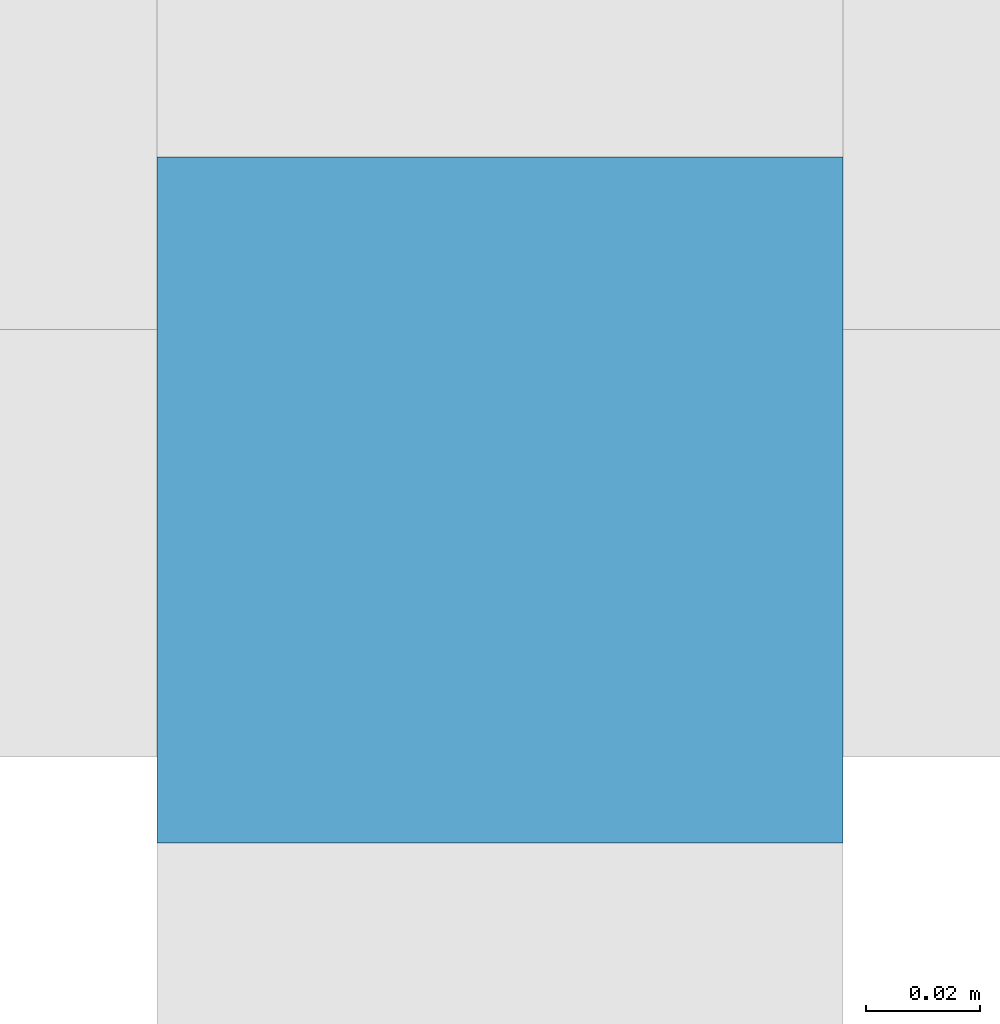
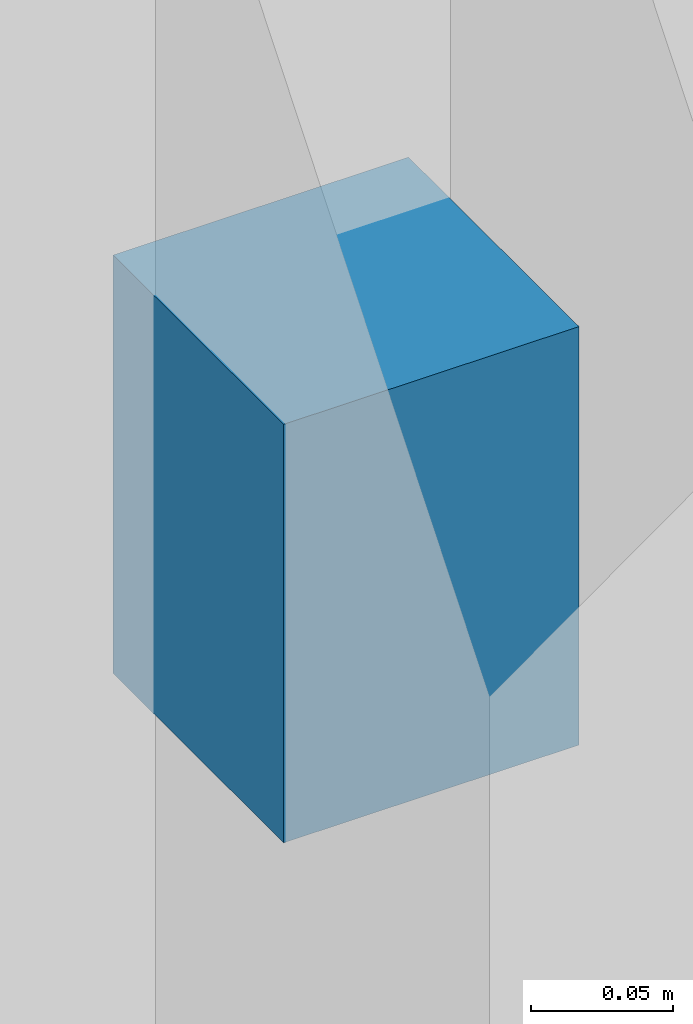
# One storey, part 42 of 54: 1 discrete accessory.
"""IFC4 building model written with IfcOpenShell, lengths in metres."""

from ifc_helpers import new_model, si_unit, direction, frame, origin, origin_2d, place, context, subcontext, project, spatial, rectangle, extrude, material, type_object, element, save


model = new_model("IFC4")

# Units and contexts
model_context = context("Model", 3, precision=1e-05, world=origin(), true_north=direction((0.0, 1.0)))
body_context = subcontext(model_context, "Body", "Model", "MODEL_VIEW")
ifc_project = project(units=[si_unit("LENGTHUNIT", "METRE"), si_unit("AREAUNIT", "SQUARE_METRE"), si_unit("VOLUMEUNIT", "CUBIC_METRE"), si_unit("PLANEANGLEUNIT", "RADIAN"), si_unit("MASSUNIT", "GRAM", prefix="KILO")], contexts=[model_context])

# Site, building, storey
site_placement = place(None, origin())
site = spatial("IfcSite", under=ifc_project, at=site_placement, CompositionType="ELEMENT")
building_placement = place(site_placement, origin())
building = spatial("IfcBuilding", under=site, at=building_placement, Name="Sundgate Opera House", CompositionType="ELEMENT")
storey_placement = place(building_placement, frame((0.0, 0.0, 16.800048828125)))
storey = spatial("IfcBuildingStorey", under=building, at=storey_placement, Name="L03", CompositionType="ELEMENT", Elevation=16.800048828125)

# Discrete accessory
ifc_material = material(Name="Stainless steel EN 1.4404 bracket", Category="steel")
discrete_accessory_type = type_object("IfcDiscreteAccessoryType", Name="AC-BRACKET-SS", PredefinedType="BRACKET", material=ifc_material)
discrete_accessory_placement = place(storey_placement, frame((67.5, 32.75, 1.91015625), z_axis=(0.0, 0.0, 1.0), x_axis=(1.0, 0.0, 0.0)))
element("IfcDiscreteAccessory", 1, at=discrete_accessory_placement, inside=storey, type_object=discrete_accessory_type, Name="L03 Brise-Soleil Anchor Bracket BR0012", PredefinedType="BRACKET", context=body_context, shape_type="SweptSolid", body=[
    extrude(rectangle(XDim=0.1201171875, YDim=0.1201171875, at=origin_2d()), origin(), (0.0, 0.0, 1.0), 0.179931640625),
])

save(model, "model.ifc")
